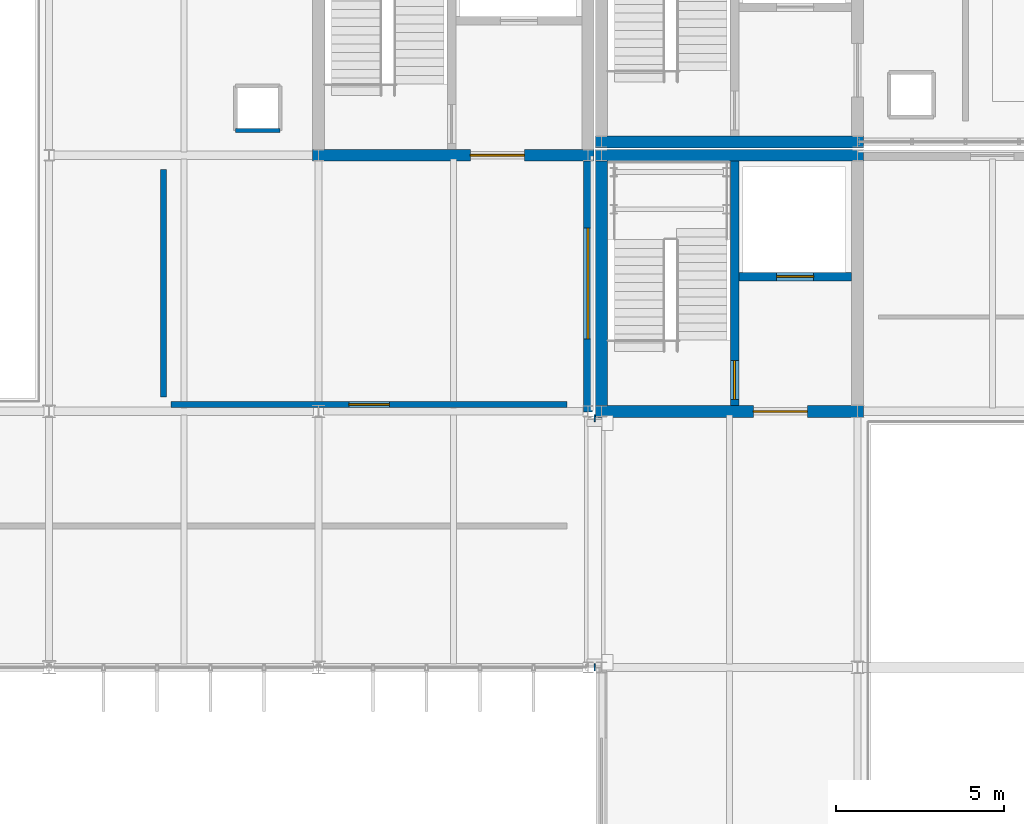
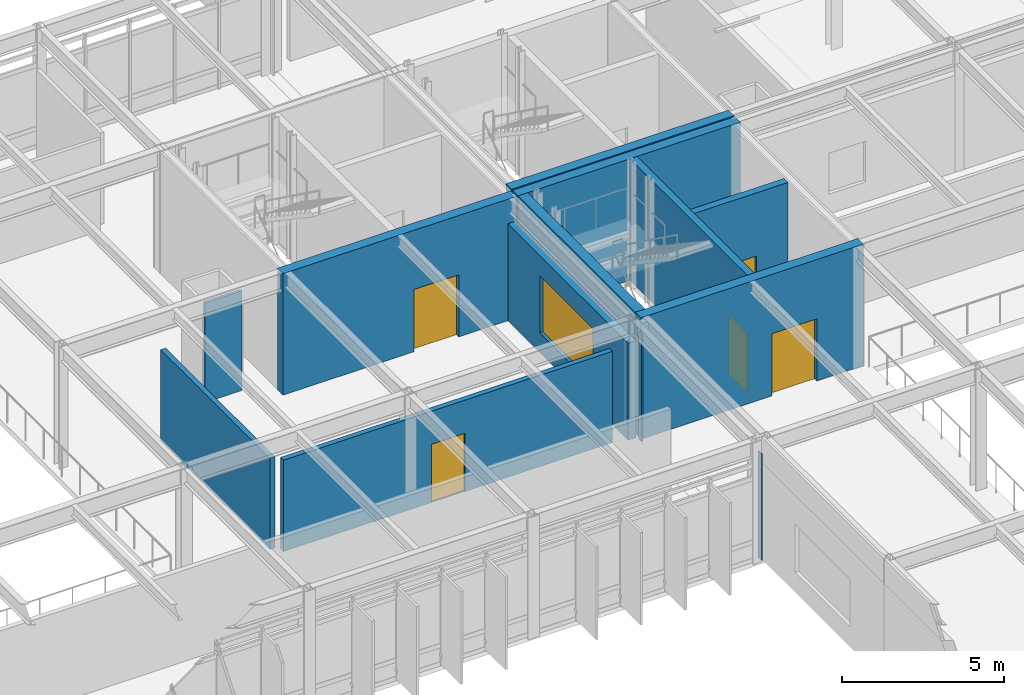
# One storey, part 83 of 104: 13 walls, 5 doors, 1 window, 6 openings.
"""IFC4 building model written with IfcOpenShell, lengths in metres."""

import ifcopenshell
import ifcopenshell.guid

model = None  # the IFC model being written
_history = None  # IfcOwnerHistory: only IFC2X3 demands one
_inside = {}  # id of a spatial element -> (the spatial element, [elements in it])
_under = {}  # id of a project, library or spatial element -> (it, [spatial elements below it])
_declared = {}  # id of a project -> (the project, [libraries it declares])
_typed = {}  # id of a type object -> (the type object, [elements of that type])
_made_of = {}  # id of a material, layer set ... -> (it, [elements and type objects made of it])


def new_model(schema):
    """Start an empty IFC model of exactly this schema.

    Asked for "IFC4X3", IfcOpenShell would pick the latest addendum, in which some entities
    have other attributes; the version numbers below select the first issue.
    IFC2X3 requires an IfcOwnerHistory on every rooted entity: one is made here for all.
    """
    global model, _history
    if schema == "IFC4X3":
        model = ifcopenshell.file(schema_version=(4, 3, 0, 0))
    else:
        model = ifcopenshell.file(schema=schema)
    _inside.clear()
    _under.clear()
    _declared.clear()
    _typed.clear()
    _made_of.clear()
    _history = None
    if model.schema == "IFC2X3":
        org = make("IfcOrganization", Name="unknown")
        user = make(
            "IfcPersonAndOrganization",
            ThePerson=make("IfcPerson", FamilyName="unknown"),
            TheOrganization=org,
        )
        app = make(
            "IfcApplication",
            ApplicationDeveloper=org,
            Version="unknown",
            ApplicationFullName="unknown",
            ApplicationIdentifier="unknown",
        )
        _history = make(
            "IfcOwnerHistory",
            OwningUser=user,
            OwningApplication=app,
            ChangeAction="ADDED",
            CreationDate=0,
        )
    return model


def make(cls, **values):
    """One entity of the class cls with the attributes given. An attribute that is None is left unset."""
    return model.create_entity(
        cls, **{name: value for name, value in values.items() if value is not None}
    )


def rooted(cls, **values):
    """An entity with a GlobalId (a new one), such as an element, a storey or a relation."""
    return make(cls, GlobalId=ifcopenshell.guid.new(), OwnerHistory=_history, **values)


def si_unit(unit_type, name, prefix=None):
    """IfcSIUnit, for example si_unit("LENGTHUNIT", "METRE", prefix="MILLI")."""
    return make("IfcSIUnit", UnitType=unit_type, Prefix=prefix, Name=name)


def assignment(units):
    """IfcUnitAssignment: the units of a project."""
    return None if units is None else make("IfcUnitAssignment", Units=units)


def point(xyz):
    """IfcCartesianPoint."""
    return None if xyz is None else make("IfcCartesianPoint", Coordinates=xyz)


def direction(xyz):
    """IfcDirection."""
    return None if xyz is None else make("IfcDirection", DirectionRatios=xyz)


def frame(location, z_axis=None, x_axis=None):
    """IfcAxis2Placement3D, a coordinate frame: its origin and axes. An axis left out is left unset."""
    return make(
        "IfcAxis2Placement3D",
        Location=point(location),
        Axis=direction(z_axis),
        RefDirection=direction(x_axis),
    )


def frame_2d(location, x_axis=None):
    """IfcAxis2Placement2D, a coordinate frame in the plane: its origin and x axis."""
    return make(
        "IfcAxis2Placement2D", Location=point(location), RefDirection=direction(x_axis)
    )


def origin():
    """The frame at (0, 0, 0) with its axes left unset."""
    return frame((0.0, 0.0, 0.0))


def place(relative_to, where):
    """IfcLocalPlacement: puts the frame where relative to a parent placement (None: the world)."""
    return make(
        "IfcLocalPlacement", PlacementRelTo=relative_to, RelativePlacement=where
    )


def context(
    kind, dimensions, precision=None, world=None, true_north=None, identifier=None
):
    """IfcGeometricRepresentationContext, for example the 3D "Model" context."""
    return make(
        "IfcGeometricRepresentationContext",
        ContextIdentifier=identifier,
        ContextType=kind,
        CoordinateSpaceDimension=dimensions,
        Precision=precision,
        WorldCoordinateSystem=world,
        TrueNorth=true_north,
    )


def subcontext(parent, identifier, kind, view, scale=None):
    """IfcGeometricRepresentationSubContext, for example "Body" below "Model"."""
    return make(
        "IfcGeometricRepresentationSubContext",
        ContextIdentifier=identifier,
        ContextType=kind,
        ParentContext=parent,
        TargetScale=scale,
        TargetView=view,
    )


def project(units=None, contexts=None):
    """IfcProject with its units and contexts."""
    return rooted(
        "IfcProject",
        Name="project",
        RepresentationContexts=contexts,
        UnitsInContext=assignment(units),
    )


def spatial(cls, under=None, at=None, **own):
    """A site, building, storey or space (cls), placed at a placement, below another one or the project."""
    s = rooted(cls, ObjectPlacement=at, **own)
    if under is not None:
        _under.setdefault(under.id(), (under, []))[1].append(s)
    return s


def profile(cls, at=None, kind="AREA", **sizes):
    """A parametric profile (cls). Its sizes go by their IFC names, for example OverallWidth=200.0."""
    return make(cls, ProfileType=kind, Position=at, **sizes)


def rectangle(**sizes):
    """IfcRectangleProfileDef."""
    return profile("IfcRectangleProfileDef", **sizes)


def extrude(swept, where, along, depth):
    """IfcExtrudedAreaSolid: the profile swept, set in the frame where, extruded along a direction by depth."""
    return make(
        "IfcExtrudedAreaSolid",
        SweptArea=swept,
        Position=where,
        ExtrudedDirection=direction(along),
        Depth=depth,
    )


def shape(context_of_items, identifier, shape_type, items):
    """IfcShapeRepresentation: the items that make up one representation, for example the "Body"."""
    return make(
        "IfcShapeRepresentation",
        ContextOfItems=context_of_items,
        RepresentationIdentifier=identifier,
        RepresentationType=shape_type,
        Items=items,
    )


def material(Name=None, Category=None):
    """IfcMaterial."""
    return make("IfcMaterial", Name=Name, Category=Category)


def layer(
    of_material, thickness, ventilated=None, Name=None, Category=None, Priority=None
):
    """IfcMaterialLayer: one layer of a wall or slab, of a material (None: an air gap)."""
    return make(
        "IfcMaterialLayer",
        Material=of_material,
        LayerThickness=thickness,
        IsVentilated=ventilated,
        Name=Name,
        Category=Category,
        Priority=Priority,
    )


def layer_set(layers, Name=None):
    """IfcMaterialLayerSet."""
    return make("IfcMaterialLayerSet", MaterialLayers=layers, LayerSetName=Name)


def made_of(thing, what):
    """Note that an element or type object is made of a material, layer set ...; save() writes the relation."""
    if what is not None:
        _made_of.setdefault(what.id(), (what, []))[1].append(thing)
    return thing


def type_object(cls, material=None, **own):
    """A type object (cls), such as IfcWallType, which elements share."""
    return made_of(rooted(cls, **own), material)


def element(
    cls,
    number,
    at=None,
    inside=None,
    cuts=None,
    type_object=None,
    material=None,
    context=None,
    identifier="Body",
    shape_type=None,
    held_by="IfcProductDefinitionShape",
    body=None,
    shapes=None,
    **own,
):
    """One element of the class cls, such as IfcWall. Its Tag is "e" and its number.

    at: its placement. inside: the storey or other place that contains it. cuts: it is an
    opening in that element (IfcRelVoidsElement). A single representation is given by context,
    identifier, shape_type and body (its items); several are given by shapes. held_by: the class
    of the entity that holds the representations. save() writes the other relations.
    """
    e = rooted(cls, Tag="e%d" % number, ObjectPlacement=at, **own)
    if body is not None:
        shapes = [shape(context, identifier, shape_type, body)]
    if shapes is not None:
        e.Representation = make(held_by, Representations=shapes)
    if inside is not None:
        _inside.setdefault(inside.id(), (inside, []))[1].append(e)
    if cuts is not None:
        rooted(
            "IfcRelVoidsElement", RelatingBuildingElement=cuts, RelatedOpeningElement=e
        )
    if type_object is not None:
        _typed.setdefault(type_object.id(), (type_object, []))[1].append(e)
    return made_of(e, material)


def fill(opening, filler):
    """IfcRelFillsElement: the door or window that sits in an opening."""
    return rooted(
        "IfcRelFillsElement",
        RelatingOpeningElement=opening,
        RelatedBuildingElement=filler,
    )


def aggregate(whole, parts):
    """IfcRelAggregates: a whole, such as a stair, and the parts it consists of."""
    return rooted("IfcRelAggregates", RelatingObject=whole, RelatedObjects=parts)


def save(model, path):
    """Write the relations noted so far, then the file.

    IfcRelAggregates (storeys below a building ...), IfcRelContainedInSpatialStructure (elements
    in a storey), IfcRelDefinesByType, IfcRelAssociatesMaterial and IfcRelDeclares: one each for
    every whole, place, type object, material and project.
    """
    for whole, parts in _under.values():
        aggregate(whole, parts)
    for where, things in _inside.values():
        rooted(
            "IfcRelContainedInSpatialStructure",
            RelatedElements=things,
            RelatingStructure=where,
        )
    for kind, things in _typed.values():
        rooted("IfcRelDefinesByType", RelatedObjects=things, RelatingType=kind)
    for what, things in _made_of.values():
        rooted("IfcRelAssociatesMaterial", RelatedObjects=things, RelatingMaterial=what)
    for by, libraries in _declared.values():
        rooted("IfcRelDeclares", RelatingContext=by, RelatedDefinitions=libraries)
    model.write(path)


model = new_model("IFC4")

# Units and contexts
model_context = context("Model", 3, precision=1e-05, world=origin(), true_north=direction((0.0, 1.0)))
body_context = subcontext(model_context, "Body", "Model", "MODEL_VIEW")
ifc_project = project(units=[si_unit("LENGTHUNIT", "METRE"), si_unit("AREAUNIT", "SQUARE_METRE"), si_unit("VOLUMEUNIT", "CUBIC_METRE"), si_unit("PLANEANGLEUNIT", "RADIAN"), si_unit("MASSUNIT", "GRAM", prefix="KILO")], contexts=[model_context])

# Site, building, storey
site_placement = place(None, origin())
site = spatial("IfcSite", under=ifc_project, at=site_placement, CompositionType="ELEMENT")
building_placement = place(site_placement, origin())
building = spatial("IfcBuilding", under=site, at=building_placement, Name="Zulena Civic Courthouse", CompositionType="ELEMENT")
storey_placement = place(building_placement, frame((0.0, 0.0, 10.800048828125)))
storey = spatial("IfcBuildingStorey", under=building, at=storey_placement, Name="L02", CompositionType="ELEMENT", Elevation=10.800048828125)

# Walls
ifc_material_1 = material(Name="Travertine-cream architectural precast concrete C40/50", Category="masonry")
ifc_layer_1 = layer(ifc_material_1, 0.205078125)
ifc_layer_set_1 = layer_set([ifc_layer_1], Name="Travertine-cream architectural precast concrete C40/50")
wall_type_1 = type_object("IfcWallType", Name="BridgeWall_GlazedScreen_205", PredefinedType="STANDARD", material=ifc_layer_set_1)
for number, where, z_axis, x_axis, name in (
    (1, (124.219970703125, 15.199951171875, 0.0), (0.0, 0.0, 1.0), (-1.0, 0.0, 0.0), "ewall:bridge:BR-41:L02:S"),
    (2, (124.179931640625, 22.60009765625, 0.0), (0.0, 0.0, 1.0), (1.0, 0.0, 0.0), "ewall:bridge:BR-41:L02:N"),
):
    element("IfcWall", number, at=place(storey_placement, frame(where, z_axis=z_axis, x_axis=x_axis)), inside=storey, type_object=wall_type_1, Name=name, PredefinedType="STANDARD", context=body_context, shape_type="SweptSolid", body=[
        extrude(rectangle(XDim=0.0400390625, YDim=0.205078125, at=frame_2d((0.02001953125, 0.0))), origin(), (0.0, 0.0, 1.0), 4.02001953125),
    ])

# Wall, opening, door
ifc_material_2 = material(Name="Concrete C40/50", Category="concrete")
ifc_layer_2 = layer(ifc_material_2, 0.25)
ifc_layer_set_2 = layer_set([ifc_layer_2], Name="Concrete C40/50")
wall_type_2 = type_object("IfcWallType", Name="CoreShearWall_RC250", PredefinedType="SHEAR", material=ifc_layer_set_2)
wall_1_placement = place(storey_placement, frame((128.35009765625, 22.97509765625, 0.0), z_axis=(0.0, 0.0, 1.0), x_axis=(0.0, 1.0, 0.0)))
wall_1 = element("IfcWall", 3, at=wall_1_placement, inside=storey, type_object=wall_type_2, Name="cwall:K1A:L02:DIV", PredefinedType="SHEAR", context=body_context, shape_type="SweptSolid", body=[
    extrude(rectangle(XDim=7.25, YDim=0.25, at=frame_2d((3.625, 0.0))), origin(), (0.0, 0.0, 1.0), 4.58984375),
])
opening_1_placement = place(wall_1_placement, frame((0.179931640625, 0.0, 0.0)))
opening_1 = element("IfcOpeningElement", 4, at=opening_1_placement, cuts=wall_1, Name="Opening ID08", PredefinedType="OPENING", context=body_context, shape_type="SweptSolid", body=[
    extrude(rectangle(XDim=1.14990234375, YDim=2.199951171875, at=frame_2d((0.574951171875, 1.10009765625))), frame((0.0, 0.135009765625, 0.0), z_axis=(0.0, -1.0, 0.0), x_axis=(1.0, 0.0, 0.0)), (0.0, 0.0, 1.0), 0.27001953125),
])
ifc_material_3 = material(Name="Fire-rated galvanised steel ASTM A653 Grade 50", Category="steel")
door_type_1 = type_object("IfcDoorType", Name="IntDoor_Stair_1150x2200", OperationType="NOTDEFINED", PredefinedType="DOOR", material=ifc_material_3)
door_1_placement = place(opening_1_placement, origin())
door_1 = element("IfcDoor", 5, at=door_1_placement, inside=storey, type_object=door_type_1, Name="door:stair:K1A:L02", OperationType="SINGLE_SWING_LEFT", OverallHeight=2.199951171875, OverallWidth=1.14990234375, PredefinedType="DOOR", context=body_context, shape_type="SweptSolid", body=[
    extrude(rectangle(XDim=1.14990234375, YDim=2.199951171875, at=frame_2d((0.574951171875, 1.10009765625))), frame((0.0, 0.02490234375, 0.0), z_axis=(0.0, -1.0, 0.0), x_axis=(1.0, 0.0, 0.0)), (0.0, 0.0, 1.0), 0.050048828125),
])
fill(opening_1, door_1)

wall_2_placement = place(storey_placement, frame((128.47509765625, 26.800048828125, 0.0), z_axis=(0.0, 0.0, 1.0), x_axis=(1.0, 0.0, 0.0)))
wall_2 = element("IfcWall", 6, at=wall_2_placement, inside=storey, type_object=wall_type_2, Name="cwall:K1A:L02:SHF", PredefinedType="SHEAR", context=body_context, shape_type="SweptSolid", body=[
    extrude(rectangle(XDim=3.349853515625, YDim=0.25, at=frame_2d((1.6748046875, 0.0))), origin(), (0.0, 0.0, 1.0), 4.58984375),
])
opening_2_placement = place(wall_2_placement, frame((1.1201171875, 0.0, 0.0)))
opening_2 = element("IfcOpeningElement", 7, at=opening_2_placement, cuts=wall_2, Name="Opening LD02", PredefinedType="OPENING", context=body_context, shape_type="SweptSolid", body=[
    extrude(rectangle(XDim=1.10009765625, YDim=2.199951171875, at=frame_2d((0.550048828125, 1.10009765625))), frame((0.0, 0.135009765625, 0.0), z_axis=(0.0, -1.0, 0.0), x_axis=(1.0, 0.0, 0.0)), (0.0, 0.0, 1.0), 0.27001953125),
])
door_type_2 = type_object("IfcDoorType", Name="LiftLandingDoor_Pass_1100x2200", OperationType="SLIDING_TO_LEFT", PredefinedType="DOOR", material=ifc_material_3)
door_2_placement = place(opening_2_placement, origin())
door_2 = element("IfcDoor", 8, at=door_2_placement, inside=storey, type_object=door_type_2, Name="door:ld:PL-01:L02", OperationType="SLIDING_TO_LEFT", OverallHeight=2.199951171875, OverallWidth=1.10009765625, PredefinedType="DOOR", context=body_context, shape_type="SweptSolid", body=[
    extrude(rectangle(XDim=1.10009765625, YDim=2.199951171875, at=frame_2d((0.550048828125, 1.10009765625))), frame((0.0, 0.02490234375, 0.0), z_axis=(0.0, -1.0, 0.0), x_axis=(1.0, 0.0, 0.0)), (0.0, 0.0, 1.0), 0.050048828125),
])
fill(opening_2, door_2)

ifc_layer_3 = layer(ifc_material_2, 0.35009765625)
ifc_layer_set_3 = layer_set([ifc_layer_3], Name="Concrete C40/50")
wall_type_3 = type_object("IfcWallType", Name="CoreShearWall_RC350", PredefinedType="SHEAR", material=ifc_layer_set_3)
wall_3_placement = place(storey_placement, frame((124.22509765625, 22.800048828125, 0.0), z_axis=(0.0, 0.0, 1.0), x_axis=(1.0, 0.0, 0.0)))
wall_3 = element("IfcWall", 9, at=wall_3_placement, inside=storey, type_object=wall_type_3, Name="cwall:K1A:L02:S", PredefinedType="SHEAR", context=body_context, shape_type="SweptSolid", body=[
    extrude(rectangle(XDim=7.949951171875, YDim=0.35009765625, at=frame_2d((3.97509765625, 0.0))), origin(), (0.0, 0.0, 1.0), 4.58984375),
])
opening_3_placement = place(wall_3_placement, frame((4.68505859375, 0.0, 0.0)))
opening_3 = element("IfcOpeningElement", 10, at=opening_3_placement, cuts=wall_3, Name="Opening ID04", PredefinedType="OPENING", context=body_context, shape_type="SweptSolid", body=[
    extrude(rectangle(XDim=1.60009765625, YDim=2.35009765625, at=frame_2d((0.800048828125, 1.175048828125))), frame((0.0, 0.18505859375, 0.0), z_axis=(0.0, -1.0, 0.0), x_axis=(1.0, 0.0, 0.0)), (0.0, 0.0, 1.0), 0.3701171875),
])
ifc_material_4 = material(Name="Solid-core acoustic hardwood timber", Category="wood")
door_type_3 = type_object("IfcDoorType", Name="IntDoor_CourtPublic_1600x2350", OperationType="DOUBLE_DOOR_SINGLE_SWING", PredefinedType="DOOR", material=ifc_material_4)
door_3_placement = place(opening_3_placement, origin())
door_3 = element("IfcDoor", 11, at=door_3_placement, inside=storey, type_object=door_type_3, Name="door:corelob:K1A:L02", OperationType="DOUBLE_DOOR_SINGLE_SWING", OverallHeight=2.35009765625, OverallWidth=1.60009765625, PredefinedType="DOOR", context=body_context, shape_type="SweptSolid", body=[
    extrude(rectangle(XDim=1.60009765625, YDim=2.35009765625, at=frame_2d((0.800048828125, 1.175048828125))), frame((0.0, 0.02490234375, 0.0), z_axis=(0.0, -1.0, 0.0), x_axis=(1.0, 0.0, 0.0)), (0.0, 0.0, 1.0), 0.050048828125),
])
fill(opening_3, door_3)

# Walls
wall_4_placement = place(storey_placement, frame((124.22509765625, 30.39990234375, 0.0), z_axis=(0.0, 0.0, 1.0), x_axis=(1.0, 0.0, 0.0)))
element("IfcWall", 12, at=wall_4_placement, inside=storey, type_object=wall_type_3, Name="cwall:K1A:L02:N", PredefinedType="SHEAR", context=body_context, shape_type="SweptSolid", body=[
    extrude(rectangle(XDim=7.949951171875, YDim=0.35009765625, at=frame_2d((3.97509765625, 0.0))), origin(), (0.0, 0.0, 1.0), 4.58984375),
])
wall_5_placement = place(storey_placement, frame((124.39990234375, 22.97509765625, 0.0), z_axis=(0.0, 0.0, 1.0), x_axis=(0.0, 1.0, 0.0)))
element("IfcWall", 13, at=wall_5_placement, inside=storey, type_object=wall_type_3, Name="cwall:K1A:L02:W", PredefinedType="SHEAR", context=body_context, shape_type="SweptSolid", body=[
    extrude(rectangle(XDim=7.25, YDim=0.35009765625, at=frame_2d((3.625, 0.0))), origin(), (0.0, 0.0, 1.0), 4.58984375),
])
wall_6_placement = place(storey_placement, frame((124.22509765625, 30.800048828125, 0.0), z_axis=(0.0, 0.0, 1.0), x_axis=(1.0, 0.0, 0.0)))
element("IfcWall", 14, at=wall_6_placement, inside=storey, type_object=wall_type_3, Name="cwall:K3A:L02:S", PredefinedType="SHEAR", context=body_context, shape_type="SweptSolid", body=[
    extrude(rectangle(XDim=7.949951171875, YDim=0.35009765625, at=frame_2d((3.97509765625, 0.0))), origin(), (0.0, 0.0, 1.0), 4.58984375),
])

# Wall, opening, door
wall_7_placement = place(storey_placement, frame((115.824951171875, 30.39990234375, 0.0), z_axis=(0.0, 0.0, 1.0), x_axis=(1.0, 0.0, 0.0)))
wall_7 = element("IfcWall", 15, at=wall_7_placement, inside=storey, type_object=wall_type_3, Name="cwall:K4B:L02:S", PredefinedType="SHEAR", context=body_context, shape_type="SweptSolid", body=[
    extrude(rectangle(XDim=8.35009765625, YDim=0.35009765625, at=frame_2d((4.175048828125, 0.0))), origin(), (0.0, 0.0, 1.0), 4.58984375),
])
opening_4_placement = place(wall_7_placement, frame((4.68505859375, 0.0, 0.0)))
opening_4 = element("IfcOpeningElement", 16, at=opening_4_placement, cuts=wall_7, Name="Opening ID04", PredefinedType="OPENING", context=body_context, shape_type="SweptSolid", body=[
    extrude(rectangle(XDim=1.60009765625, YDim=2.35009765625, at=frame_2d((0.800048828125, 1.175048828125))), frame((0.0, 0.18505859375, 0.0), z_axis=(0.0, -1.0, 0.0), x_axis=(1.0, 0.0, 0.0)), (0.0, 0.0, 1.0), 0.3701171875),
])
door_4_placement = place(opening_4_placement, origin())
door_4 = element("IfcDoor", 17, at=door_4_placement, inside=storey, type_object=door_type_3, Name="door:corelob:K4B:L02", OperationType="DOUBLE_DOOR_SINGLE_SWING", OverallHeight=2.35009765625, OverallWidth=1.60009765625, PredefinedType="DOOR", context=body_context, shape_type="SweptSolid", body=[
    extrude(rectangle(XDim=1.60009765625, YDim=2.35009765625, at=frame_2d((0.800048828125, 1.175048828125))), frame((0.0, 0.02490234375, 0.0), z_axis=(0.0, -1.0, 0.0), x_axis=(1.0, 0.0, 0.0)), (0.0, 0.0, 1.0), 0.050048828125),
])
fill(opening_4, door_4)

# Wall, opening, window
ifc_layer_4 = layer(ifc_material_1, 0.280029296875)
ifc_layer_set_4 = layer_set([ifc_layer_4], Name="Travertine-cream architectural precast concrete C40/50")
wall_type_4 = type_object("IfcWallType", Name="ExtWall_TravPrecast_280", PredefinedType="STANDARD", material=ifc_layer_set_4)
wall_8_placement = place(storey_placement, frame((124.0, 30.419921875, 0.0), z_axis=(0.0, 0.0, 1.0), x_axis=(0.0, -1.0, 0.0)))
wall_8 = element("IfcWall", 18, at=wall_8_placement, inside=storey, type_object=wall_type_4, Name="ewall:V4:L02:2:2", PredefinedType="STANDARD", context=body_context, shape_type="SweptSolid", body=[
    extrude(rectangle(XDim=7.639892578125, YDim=0.280029296875, at=frame_2d((3.81982421875, 0.0))), origin(), (0.0, 0.0, 1.0), 3.659912109375),
])
opening_5_placement = place(wall_8_placement, frame((2.169921875, 0.0, 0.75)))
opening_5 = element("IfcOpeningElement", 19, at=opening_5_placement, cuts=wall_8, Name="Opening WN14", PredefinedType="OPENING", context=body_context, shape_type="SweptSolid", body=[
    extrude(rectangle(XDim=3.300048828125, YDim=2.14990234375, at=frame_2d((1.64990234375, 1.074951171875))), frame((0.0, 0.14990234375, 0.0), z_axis=(0.0, -1.0, 0.0), x_axis=(1.0, 0.0, 0.0)), (0.0, 0.0, 1.0), 0.300048828125),
])
ifc_material_5 = material(Name="Double-silver low-E laminated solar-control glass", Category="glass")
window_type = type_object("IfcWindowType", Name="Win_3300x2150", PartitioningType="DOUBLE_PANEL_VERTICAL", PredefinedType="WINDOW", material=ifc_material_5)
window_placement = place(opening_5_placement, origin())
window = element("IfcWindow", 20, at=window_placement, inside=storey, type_object=window_type, Name="win:V4:L02:2:2", OverallHeight=2.14990234375, OverallWidth=3.300048828125, PartitioningType="SINGLE_PANEL", PredefinedType="WINDOW", context=body_context, shape_type="SweptSolid", body=[
    extrude(rectangle(XDim=3.300048828125, YDim=2.14990234375, at=frame_2d((1.64990234375, 1.074951171875))), frame((0.0, 0.030029296875, 0.0), z_axis=(0.0, -1.0, 0.0), x_axis=(1.0, 0.0, 0.0)), (0.0, 0.0, 1.0), 0.06005859375),
])
fill(opening_5, window)

# Wall, opening, door
ifc_material_6 = material(Name="Acoustic fire-rated gypsum board assembly", Category="masonry")
ifc_layer_5 = layer(ifc_material_6, 0.177978515625)
ifc_layer_set_5 = layer_set([ifc_layer_5], Name="Acoustic fire-rated gypsum board assembly")
wall_type_5 = type_object("IfcWallType", Name="PartWall_Corridor_178", PredefinedType="PARTITIONING", material=ifc_layer_set_5)
wall_9_placement = place(storey_placement, frame((111.6201171875, 23.0, 0.0), z_axis=(0.0, 0.0, 1.0), x_axis=(1.0, 0.0, 0.0)))
wall_9 = element("IfcWall", 21, at=wall_9_placement, inside=storey, type_object=wall_type_5, Name="pwall:L02:245:0", PredefinedType="PARTITIONING", context=body_context, shape_type="SweptSolid", body=[
    extrude(rectangle(XDim=11.759765625, YDim=0.177978515625, at=frame_2d((5.8798828125, 0.0))), origin(), (0.0, 0.0, 1.0), 3.449951171875),
])
opening_6_placement = place(wall_9_placement, frame((5.280029296875, 0.0, 0.0)))
opening_6 = element("IfcOpeningElement", 22, at=opening_6_placement, cuts=wall_9, Name="Opening ID07", PredefinedType="OPENING", context=body_context, shape_type="SweptSolid", body=[
    extrude(rectangle(XDim=1.199951171875, YDim=2.199951171875, at=frame_2d((0.60009765625, 1.10009765625))), frame((0.0, 0.098876953125, 0.0), z_axis=(0.0, -1.0, 0.0), x_axis=(1.0, 0.0, 0.0)), (0.0, 0.0, 1.0), 0.197998046875),
])
door_type_4 = type_object("IfcDoorType", Name="IntDoor_Stair_1200x2200", OperationType="NOTDEFINED", PredefinedType="DOOR", material=ifc_material_3)
door_5_placement = place(opening_6_placement, origin())
door_5 = element("IfcDoor", 23, at=door_5_placement, inside=storey, type_object=door_type_4, Name="door:rm:L02:245", OperationType="SINGLE_SWING_LEFT", OverallHeight=2.199951171875, OverallWidth=1.199951171875, PredefinedType="DOOR", context=body_context, shape_type="SweptSolid", body=[
    extrude(rectangle(XDim=1.199951171875, YDim=2.199951171875, at=frame_2d((0.60009765625, 1.10009765625))), frame((0.0, 0.02490234375, 0.0), z_axis=(0.0, -1.0, 0.0), x_axis=(1.0, 0.0, 0.0)), (0.0, 0.0, 1.0), 0.050048828125),
])
fill(opening_6, door_5)

# Walls
wall_10_placement = place(storey_placement, frame((111.39990234375, 23.219970703125, 0.0), z_axis=(0.0, 0.0, 1.0), x_axis=(0.0, 1.0, 0.0)))
element("IfcWall", 24, at=wall_10_placement, inside=storey, type_object=wall_type_5, Name="pwall:L02:245:1", PredefinedType="PARTITIONING", context=body_context, shape_type="SweptSolid", body=[
    extrude(rectangle(XDim=6.760009765625, YDim=0.177978515625, at=frame_2d((3.3798828125, 0.0))), origin(), (0.0, 0.0, 1.0), 3.449951171875),
])
ifc_material_7 = material(Name="Insulated blockwork masonry ASTM C90", Category="masonry")
ifc_layer_6 = layer(ifc_material_7, 0.114990234375)
ifc_layer_set_6 = layer_set([ifc_layer_6], Name="Insulated blockwork masonry ASTM C90")
wall_type_6 = type_object("IfcWallType", Name="PartWall_Riser_115", PredefinedType="PARTITIONING", material=ifc_layer_set_6)
wall_11_placement = place(storey_placement, frame((113.5400390625, 31.139892578125, 0.0), z_axis=(0.0, 0.0, 1.0), x_axis=(1.0, 0.0, 0.0)))
element("IfcWall", 25, at=wall_11_placement, inside=storey, type_object=wall_type_6, Name="riser:RS-V4E:L02:0", PredefinedType="PARTITIONING", context=body_context, shape_type="SweptSolid", body=[
    extrude(rectangle(XDim=1.320068359375, YDim=0.114990234375, at=frame_2d((0.66015625, 0.0))), origin(), (0.0, 0.0, 1.0), 3.75),
])

save(model, "model.ifc")
